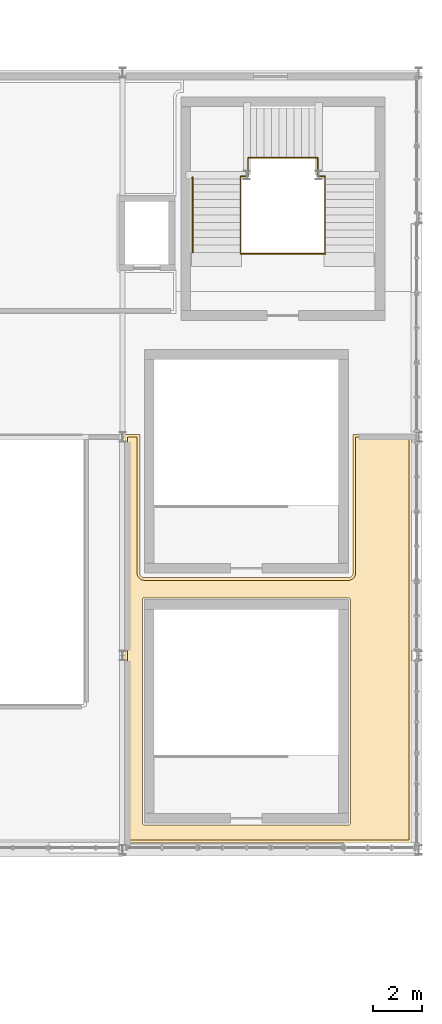
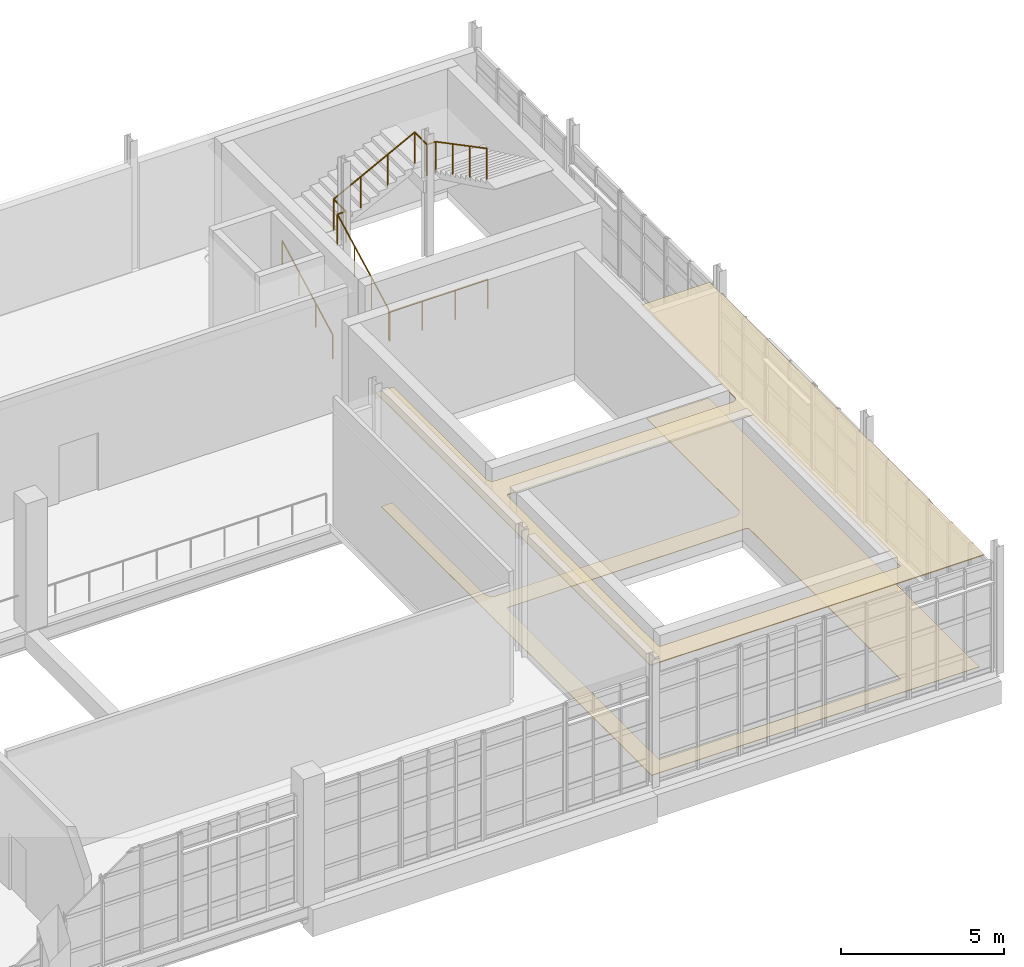
# One storey, part 102 of 102: 3 railings, 2 coverings.
"""IFC4 building model written with IfcOpenShell, lengths in metres."""

from ifc_helpers import new_model, si_unit, derived_unit, direction, frame, origin, origin_2d, place, context, subcontext, project, spatial, polyline, circle, outline, extrude, material, layer, layer_set, type_object, element, save


model = new_model("IFC4")

# Units and contexts
model_context = context("Model", 3, precision=1e-05, world=origin(), true_north=direction((0.0, 1.0)))
body_context = subcontext(model_context, "Body", "Model", "MODEL_VIEW")
ifc_project = project(units=[si_unit("LENGTHUNIT", "METRE"), si_unit("AREAUNIT", "SQUARE_METRE"), si_unit("VOLUMEUNIT", "CUBIC_METRE"), si_unit("PLANEANGLEUNIT", "RADIAN"), si_unit("MASSUNIT", "GRAM", prefix="KILO"), derived_unit("THERMALTRANSMITTANCEUNIT", [(si_unit("POWERUNIT", "WATT"), 1), (si_unit("LENGTHUNIT", "METRE"), -2), (si_unit("THERMODYNAMICTEMPERATUREUNIT", "KELVIN"), -1)])], contexts=[model_context])

# Site, building, storey
site_placement = place(None, origin())
site = spatial("IfcSite", under=ifc_project, at=site_placement, CompositionType="ELEMENT")
building_placement = place(site_placement, origin())
building = spatial("IfcBuilding", under=site, at=building_placement, Name="Nallur Shell Playhouse", CompositionType="ELEMENT")
storey_placement = place(building_placement, frame((0.0, 0.0, 15.0)))
storey = spatial("IfcBuildingStorey", under=building, at=storey_placement, Name="L04", CompositionType="ELEMENT", Elevation=15.0)

# Coverings
ifc_material_1 = material(Name="Mineral-Fibre High-NRC Suspended Ceiling Tile")
ifc_layer_1 = layer(ifc_material_1, 0.030029296875)
ifc_layer_set_1 = layer_set([ifc_layer_1], Name="Mineral-Fibre High-NRC Suspended Ceiling Tile")
covering_type_1 = type_object("IfcCoveringType", Name="CV-CEIL-AC2", PredefinedType="CEILING", material=ifc_layer_set_1)
covering_1_placement = place(storey_placement, frame((0.0, 0.0, 4.219970703125)))
element("IfcCovering", 1, at=covering_1_placement, inside=storey, type_object=covering_type_1, Name="Studio Theatre Technical Control & Followspot Gallery suspended acoustic ceiling", PredefinedType="CEILING", context=body_context, shape_type="SweptSolid", body=[
    extrude(outline(polyline([(148.313232421875, 35.364990234375), (148.314208984375, 35.36083984375), (148.3173828125, 35.347412109375), (148.31884765625, 35.34326171875), (148.323974609375, 35.3291015625), (148.325439453125, 35.324951171875), (148.33154296875, 35.312255859375), (148.33349609375, 35.308349609375), (148.3408203125, 35.29638671875), (148.34326171875, 35.292724609375), (148.351806640625, 35.28125), (148.354736328125, 35.277587890625), (148.3642578125, 35.26708984375), (148.3671875, 35.26416015625), (148.377685546875, 35.2548828125), (148.38134765625, 35.251953125), (148.392822265625, 35.2431640625), (148.396484375, 35.24072265625), (148.408447265625, 35.233642578125), (148.412353515625, 35.231689453125), (148.425048828125, 35.2255859375), (148.428955078125, 35.223876953125), (148.443115234375, 35.218994140625), (148.447509765625, 35.217529296875), (148.460693359375, 35.214111328125), (148.465087890625, 35.21337890625), (148.47900390625, 35.211181640625), (148.4833984375, 35.210693359375), (148.4990234375, 35.2099609375), (148.501220703125, 35.2099609375), (156.89892578125, 35.2099609375), (156.90087890625, 35.2099609375), (156.916748046875, 35.210693359375), (156.921142578125, 35.211181640625), (156.934814453125, 35.21337890625), (156.939208984375, 35.214111328125), (156.95263671875, 35.217529296875), (156.956787109375, 35.218994140625), (156.970947265625, 35.223876953125), (156.97509765625, 35.2255859375), (156.98779296875, 35.231689453125), (156.99169921875, 35.233642578125), (157.00341796875, 35.24072265625), (157.007080078125, 35.2431640625), (157.018798828125, 35.251953125), (157.022216796875, 35.2548828125), (157.03271484375, 35.26416015625), (157.035888671875, 35.26708984375), (157.045166015625, 35.277587890625), (157.048095703125, 35.28125), (157.056884765625, 35.292724609375), (157.05908203125, 35.29638671875), (157.06640625, 35.308349609375), (157.068359375, 35.312255859375), (157.074462890625, 35.324951171875), (157.076171875, 35.3291015625), (157.0810546875, 35.34326171875), (157.08251953125, 35.347412109375), (157.085693359375, 35.36083984375), (157.086669921875, 35.364990234375), (157.088623046875, 35.37890625), (157.089111328125, 35.38330078125), (157.090087890625, 35.39892578125), (157.090087890625, 35.401123046875), (157.090087890625, 41.110107421875), (159.510009765625, 41.110107421875), (159.510009765625, 24.2900390625), (147.68994140625, 24.2900390625), (147.68994140625, 41.110107421875), (148.31005859375, 41.110107421875), (148.31005859375, 35.401123046875), (148.31005859375, 35.39892578125), (148.310791015625, 35.38330078125), (148.311279296875, 35.37890625), (148.313232421875, 35.364990234375)]), holes=[polyline([(156.91552734375, 25.021484375), (156.923095703125, 25.0234375), (156.9306640625, 25.026123046875), (156.937744140625, 25.029296875), (156.9443359375, 25.033447265625), (156.95068359375, 25.0380859375), (156.95654296875, 25.04345703125), (156.9619140625, 25.04931640625), (156.966552734375, 25.0556640625), (156.970703125, 25.062255859375), (156.973876953125, 25.0693359375), (156.9765625, 25.076904296875), (156.978515625, 25.08447265625), (156.9794921875, 25.09228515625), (156.97998046875, 25.10009765625), (156.97998046875, 34.300048828125), (156.9794921875, 34.307861328125), (156.978515625, 34.315673828125), (156.9765625, 34.3232421875), (156.973876953125, 34.33056640625), (156.970703125, 34.337646484375), (156.966552734375, 34.344482421875), (156.9619140625, 34.350830078125), (156.95654296875, 34.356689453125), (156.95068359375, 34.36181640625), (156.9443359375, 34.366455078125), (156.937744140625, 34.37060546875), (156.9306640625, 34.373779296875), (156.923095703125, 34.376708984375), (156.91552734375, 34.37841796875), (156.90771484375, 34.379638671875), (156.89990234375, 34.3798828125), (148.5, 34.3798828125), (148.4921875, 34.379638671875), (148.484375, 34.37841796875), (148.476806640625, 34.376708984375), (148.469482421875, 34.373779296875), (148.46240234375, 34.37060546875), (148.45556640625, 34.366455078125), (148.44921875, 34.36181640625), (148.443359375, 34.356689453125), (148.438232421875, 34.350830078125), (148.43359375, 34.344482421875), (148.429443359375, 34.337646484375), (148.426025390625, 34.33056640625), (148.42333984375, 34.3232421875), (148.42138671875, 34.315673828125), (148.42041015625, 34.307861328125), (148.419921875, 34.300048828125), (148.419921875, 25.10009765625), (148.42041015625, 25.09228515625), (148.42138671875, 25.08447265625), (148.42333984375, 25.076904296875), (148.426025390625, 25.0693359375), (148.429443359375, 25.062255859375), (148.43359375, 25.0556640625), (148.438232421875, 25.04931640625), (148.443359375, 25.04345703125), (148.44921875, 25.0380859375), (148.45556640625, 25.033447265625), (148.46240234375, 25.029296875), (148.469482421875, 25.026123046875), (148.476806640625, 25.0234375), (148.484375, 25.021484375), (148.4921875, 25.0205078125), (148.5, 25.02001953125), (156.89990234375, 25.02001953125), (156.90771484375, 25.0205078125), (156.91552734375, 25.021484375)])]), origin(), (0.0, 0.0, 1.0), 0.030029296875),
])
ifc_material_2 = material(Name="Heavy-Duty Woven Wool Auditorium Acoustic Flooring")
ifc_layer_2 = layer(ifc_material_2, 0.02001953125)
ifc_layer_set_2 = layer_set([ifc_layer_2], Name="Heavy-Duty Woven Wool Auditorium Acoustic Flooring")
covering_type_2 = type_object("IfcCoveringType", Name="CV-FLOR-CARPET", PredefinedType="FLOORING", material=ifc_layer_set_2)
covering_2_placement = place(storey_placement, origin())
element("IfcCovering", 2, at=covering_2_placement, inside=storey, type_object=covering_type_2, Name="Studio Theatre Technical Control & Followspot Gallery floor finish", PredefinedType="FLOORING", context=body_context, shape_type="SweptSolid", body=[
    extrude(outline(polyline([(148.204833984375, 35.34619140625), (148.206787109375, 35.336669921875), (148.211669921875, 35.317626953125), (148.214599609375, 35.308349609375), (148.22119140625, 35.289794921875), (148.224853515625, 35.28076171875), (148.233154296875, 35.262939453125), (148.23779296875, 35.25439453125), (148.247802734375, 35.237548828125), (148.25341796875, 35.229248046875), (148.26513671875, 35.213623046875), (148.271240234375, 35.2060546875), (148.284423828125, 35.19140625), (148.29150390625, 35.1845703125), (148.305908203125, 35.17138671875), (148.313720703125, 35.1650390625), (148.329345703125, 35.1533203125), (148.33740234375, 35.14794921875), (148.354248046875, 35.1376953125), (148.363037109375, 35.13330078125), (148.380615234375, 35.124755859375), (148.389892578125, 35.12109375), (148.408203125, 35.114501953125), (148.41748046875, 35.111572265625), (148.436767578125, 35.106689453125), (148.4462890625, 35.10498046875), (148.4658203125, 35.10205078125), (148.4755859375, 35.10107421875), (148.4951171875, 35.10009765625), (148.5, 35.10009765625), (156.89990234375, 35.10009765625), (156.90478515625, 35.10009765625), (156.924560546875, 35.10107421875), (156.934326171875, 35.10205078125), (156.95361328125, 35.10498046875), (156.96337890625, 35.106689453125), (156.982421875, 35.111572265625), (156.99169921875, 35.114501953125), (157.01025390625, 35.12109375), (157.019287109375, 35.124755859375), (157.037109375, 35.13330078125), (157.045654296875, 35.1376953125), (157.0625, 35.14794921875), (157.07080078125, 35.1533203125), (157.08642578125, 35.1650390625), (157.093994140625, 35.17138671875), (157.108642578125, 35.1845703125), (157.115478515625, 35.19140625), (157.128662109375, 35.2060546875), (157.135009765625, 35.213623046875), (157.146484375, 35.229248046875), (157.152099609375, 35.237548828125), (157.162109375, 35.25439453125), (157.166748046875, 35.262939453125), (157.17529296875, 35.28076171875), (157.178955078125, 35.289794921875), (157.185546875, 35.308349609375), (157.1884765625, 35.317626953125), (157.193115234375, 35.336669921875), (157.195068359375, 35.34619140625), (157.197998046875, 35.36572265625), (157.198974609375, 35.37548828125), (157.199951171875, 35.39501953125), (157.199951171875, 35.39990234375), (157.199951171875, 41.0), (159.39990234375, 41.0), (159.39990234375, 24.39990234375), (147.800048828125, 24.39990234375), (147.800048828125, 41.0), (148.199951171875, 41.0), (148.199951171875, 35.39990234375), (148.2001953125, 35.39501953125), (148.201171875, 35.37548828125), (148.201904296875, 35.36572265625), (148.204833984375, 35.34619140625)]), holes=[polyline([(156.91552734375, 25.021484375), (156.923095703125, 25.0234375), (156.9306640625, 25.026123046875), (156.937744140625, 25.029296875), (156.9443359375, 25.033447265625), (156.95068359375, 25.0380859375), (156.95654296875, 25.04345703125), (156.9619140625, 25.04931640625), (156.966552734375, 25.0556640625), (156.970703125, 25.062255859375), (156.973876953125, 25.0693359375), (156.9765625, 25.076904296875), (156.978515625, 25.08447265625), (156.9794921875, 25.09228515625), (156.97998046875, 25.10009765625), (156.97998046875, 34.300048828125), (156.9794921875, 34.307861328125), (156.978515625, 34.315673828125), (156.9765625, 34.3232421875), (156.973876953125, 34.33056640625), (156.970703125, 34.337646484375), (156.966552734375, 34.344482421875), (156.9619140625, 34.350830078125), (156.95654296875, 34.356689453125), (156.95068359375, 34.36181640625), (156.9443359375, 34.366455078125), (156.937744140625, 34.37060546875), (156.9306640625, 34.373779296875), (156.923095703125, 34.376708984375), (156.91552734375, 34.37841796875), (156.90771484375, 34.379638671875), (156.89990234375, 34.3798828125), (148.5, 34.3798828125), (148.4921875, 34.379638671875), (148.484375, 34.37841796875), (148.476806640625, 34.376708984375), (148.469482421875, 34.373779296875), (148.46240234375, 34.37060546875), (148.45556640625, 34.366455078125), (148.44921875, 34.36181640625), (148.443359375, 34.356689453125), (148.438232421875, 34.350830078125), (148.43359375, 34.344482421875), (148.429443359375, 34.337646484375), (148.426025390625, 34.33056640625), (148.42333984375, 34.3232421875), (148.42138671875, 34.315673828125), (148.42041015625, 34.307861328125), (148.419921875, 34.300048828125), (148.419921875, 25.10009765625), (148.42041015625, 25.09228515625), (148.42138671875, 25.08447265625), (148.42333984375, 25.076904296875), (148.426025390625, 25.0693359375), (148.429443359375, 25.062255859375), (148.43359375, 25.0556640625), (148.438232421875, 25.04931640625), (148.443359375, 25.04345703125), (148.44921875, 25.0380859375), (148.45556640625, 25.033447265625), (148.46240234375, 25.029296875), (148.469482421875, 25.026123046875), (148.476806640625, 25.0234375), (148.484375, 25.021484375), (148.4921875, 25.0205078125), (148.5, 25.02001953125), (156.89990234375, 25.02001953125), (156.90771484375, 25.0205078125), (156.91552734375, 25.021484375)])]), origin(), (0.0, 0.0, 1.0), 0.02001953125),
])

# Railings
ifc_material_3 = material(Name="Brushed Stainless Steel 316 Balustrade & Toughened Infill", Category="steel")
railing_type_1 = type_object("IfcRailingType", Name="RL-GUARD-1100", PredefinedType="BALUSTRADE", material=ifc_material_3)
railing_1_placement = place(storey_placement, frame((152.4599609375, 48.60009765625, 0.0)))
element("IfcRailing", 3, at=railing_1_placement, inside=storey, type_object=railing_type_1, Name="Stair ST-05-L04 inner open-well guard", PredefinedType="BALUSTRADE", context=body_context, shape_type="SweptSolid", body=[
    extrude(circle(Radius=0.02392578125, at=origin_2d()), frame((0.0, 0.0, 1.15576171875), z_axis=(0.0, 0.885228583928, 0.465156268578), x_axis=(-1.0, 0.0, 0.0)), (0.0, 0.0, 1.0), 3.546875),
    extrude(circle(Radius=0.02392578125, at=origin_2d()), frame((0.0, 3.139892578125, 2.8056640625), z_axis=(1.0, 0.0, 0.0), x_axis=(0.0, 1.0, 0.0)), (0.0, 0.0, 1.0), 0.304931640625),
    extrude(circle(Radius=0.02392578125, at=origin_2d()), frame((0.304931640625, 3.139892578125, 2.8056640625), z_axis=(0.0, 1.0, 0.0), x_axis=(-1.0, 0.0, 0.0)), (0.0, 0.0, 1.0), 0.760009765625),
    extrude(circle(Radius=0.02392578125, at=origin_2d()), frame((0.304931640625, 3.89990234375, 2.8056640625), z_axis=(0.886262018935, 0.0, 0.463184233101), x_axis=(0.0, 1.0, 0.0)), (0.0, 0.0, 1.0), 3.238525390625),
    extrude(circle(Radius=0.02392578125, at=origin_2d()), frame((3.175048828125, 3.89990234375, 4.3056640625), z_axis=(0.0, -1.0, 0.0), x_axis=(1.0, 0.0, 0.0)), (0.0, 0.0, 1.0), 0.760009765625),
    extrude(circle(Radius=0.02392578125, at=origin_2d()), frame((3.175048828125, 3.139892578125, 4.3056640625), z_axis=(1.0, 0.0, 0.0), x_axis=(0.0, 1.0, 0.0)), (0.0, 0.0, 1.0), 0.304931640625),
    extrude(circle(Radius=0.02392578125, at=origin_2d()), frame((3.47998046875, 3.139892578125, 4.3056640625), z_axis=(0.0, -0.885200240898, 0.465210203579), x_axis=(1.0, 0.0, 0.0)), (0.0, 0.0, 1.0), 3.547119140625),
    extrude(circle(Radius=0.02099609375, at=origin_2d()), origin(), (0.0, 0.0, 1.0), 1.1318359375),
    extrude(circle(Radius=0.02099609375, at=origin_2d()), frame((0.0, 1.046630859375, 0.550048828125)), (0.0, 0.0, 1.0), 1.1318359375),
    extrude(circle(Radius=0.02099609375, at=origin_2d()), frame((0.0, 2.09326171875, 1.099853515625)), (0.0, 0.0, 1.0), 1.1318359375),
    extrude(circle(Radius=0.02099609375, at=origin_2d()), frame((0.0, 3.139892578125, 1.64990234375)), (0.0, 0.0, 1.0), 1.1318359375),
    extrude(circle(Radius=0.02099609375, at=origin_2d()), frame((0.304931640625, 3.139892578125, 1.64990234375)), (0.0, 0.0, 1.0), 1.1318359375),
    extrude(circle(Radius=0.02099609375, at=origin_2d()), frame((0.304931640625, 3.89990234375, 1.64990234375)), (0.0, 0.0, 1.0), 1.1318359375),
    extrude(circle(Radius=0.02099609375, at=origin_2d()), frame((1.26171875, 3.89990234375, 2.14990234375)), (0.0, 0.0, 1.0), 1.1318359375),
    extrude(circle(Radius=0.02099609375, at=origin_2d()), frame((2.21826171875, 3.89990234375, 2.64990234375)), (0.0, 0.0, 1.0), 1.1318359375),
    extrude(circle(Radius=0.02099609375, at=origin_2d()), frame((3.175048828125, 3.89990234375, 3.14990234375)), (0.0, 0.0, 1.0), 1.1318359375),
    extrude(circle(Radius=0.02099609375, at=origin_2d()), frame((3.175048828125, 3.139892578125, 3.14990234375)), (0.0, 0.0, 1.0), 1.1318359375),
    extrude(circle(Radius=0.02099609375, at=origin_2d()), frame((3.47998046875, 3.139892578125, 3.14990234375)), (0.0, 0.0, 1.0), 1.1318359375),
    extrude(circle(Radius=0.02099609375, at=origin_2d()), frame((3.47998046875, 2.09326171875, 3.699951171875)), (0.0, 0.0, 1.0), 1.1318359375),
    extrude(circle(Radius=0.02099609375, at=origin_2d()), frame((3.47998046875, 1.046630859375, 4.25)), (0.0, 0.0, 1.0), 1.1318359375),
    extrude(circle(Radius=0.02099609375, at=origin_2d()), frame((3.47998046875, 0.0, 4.800048828125)), (0.0, 0.0, 1.0), 1.1318359375),
])
railing_2_placement = place(storey_placement, frame((152.4599609375, 48.5400390625, 0.0)))
element("IfcRailing", 4, at=railing_2_placement, inside=storey, type_object=railing_type_1, Name="Stair ST-05-L04 floor-well guard", PredefinedType="BALUSTRADE", context=body_context, shape_type="SweptSolid", body=[
    extrude(circle(Radius=0.02392578125, at=origin_2d()), frame((0.0, 0.0, 1.09619140625), z_axis=(1.0, 0.0, 0.0), x_axis=(0.0, 1.0, 0.0)), (0.0, 0.0, 1.0), 3.47998046875),
    extrude(circle(Radius=0.02099609375, at=origin_2d()), origin(), (0.0, 0.0, 1.0), 1.072021484375),
    extrude(circle(Radius=0.02099609375, at=origin_2d()), frame((1.159912109375, 0.0, 0.0)), (0.0, 0.0, 1.0), 1.072021484375),
    extrude(circle(Radius=0.02099609375, at=origin_2d()), frame((2.320068359375, 0.0, 0.0)), (0.0, 0.0, 1.0), 1.072021484375),
    extrude(circle(Radius=0.02099609375, at=origin_2d()), frame((3.47998046875, 0.0, 0.0)), (0.0, 0.0, 1.0), 1.072021484375),
])
ifc_material_4 = material(Name="Stainless Steel 316 Continuous Tubular Handrail", Category="steel")
railing_type_2 = type_object("IfcRailingType", Name="RL-HANDRAIL-900", PredefinedType="HANDRAIL", material=ifc_material_4)
railing_3_placement = place(storey_placement, frame((150.47998046875, 48.60009765625, 0.0)))
element("IfcRailing", 5, at=railing_3_placement, inside=storey, type_object=railing_type_2, Name="Stair ST-05-L04 outer handrail F1", PredefinedType="HANDRAIL", context=body_context, shape_type="SweptSolid", body=[
    extrude(circle(Radius=0.02392578125, at=origin_2d()), frame((0.0, 0.0, 0.89599609375), z_axis=(0.0, 0.882749084529, 0.469844712392), x_axis=(-1.0, 0.0, 0.0)), (0.0, 0.0, 1.0), 3.511474609375),
    extrude(circle(Radius=0.02099609375, at=origin_2d()), origin(), (0.0, 0.0, 1.0), 0.871826171875),
    extrude(circle(Radius=0.02099609375, at=origin_2d()), frame((0.0, 1.033203125, 0.550048828125)), (0.0, 0.0, 1.0), 0.871826171875),
    extrude(circle(Radius=0.02099609375, at=origin_2d()), frame((0.0, 2.066650390625, 1.099853515625)), (0.0, 0.0, 1.0), 0.871826171875),
    extrude(circle(Radius=0.02099609375, at=origin_2d()), frame((0.0, 3.099853515625, 1.64990234375)), (0.0, 0.0, 1.0), 0.871826171875),
])

save(model, "model.ifc")
